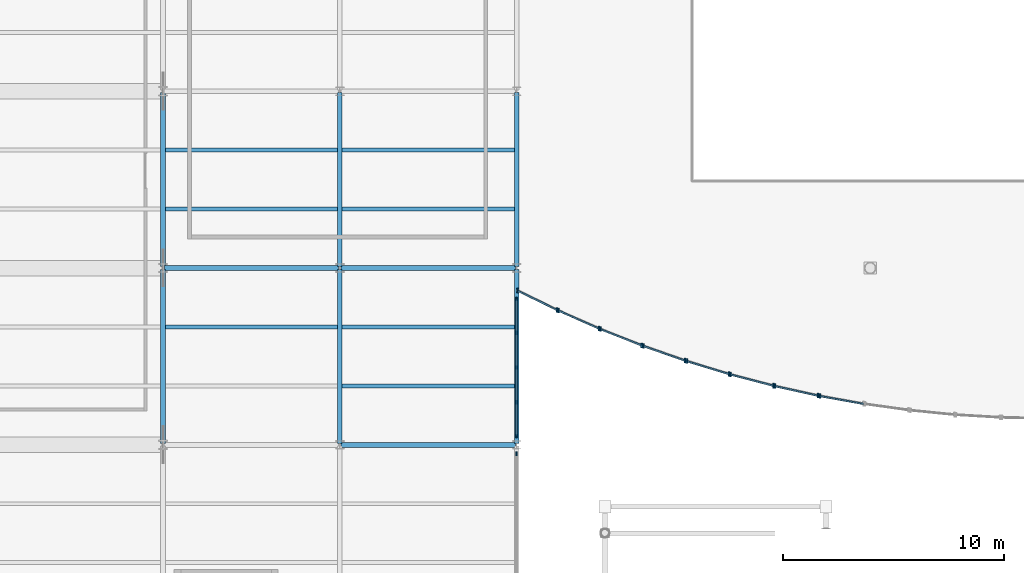
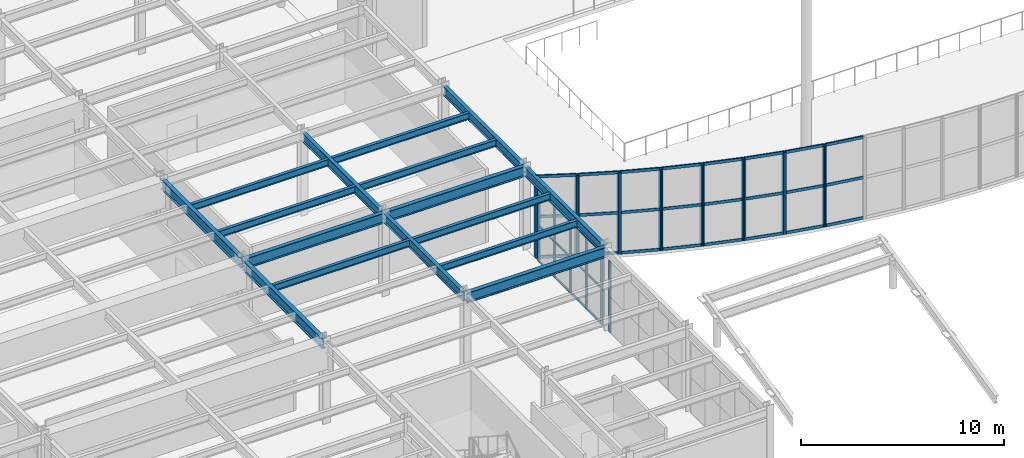
# One storey, part 23 of 77: 48 members, 16 beams, 10 elements without a shape of their own.
"""IFC4 building model written with IfcOpenShell, lengths in metres."""

from ifc_helpers import new_model, si_unit, direction, frame, origin, origin_2d, place, context, subcontext, project, spatial, rectangle, i_section, extrude, material, material_profile, profile_set, type_object, element, aggregate, save


model = new_model("IFC4")

# Units and contexts
model_context = context("Model", 3, precision=1e-05, world=origin(), true_north=direction((0.0, 1.0)))
body_context = subcontext(model_context, "Body", "Model", "MODEL_VIEW")
ifc_project = project(units=[si_unit("LENGTHUNIT", "METRE"), si_unit("AREAUNIT", "SQUARE_METRE"), si_unit("VOLUMEUNIT", "CUBIC_METRE"), si_unit("PLANEANGLEUNIT", "RADIAN"), si_unit("MASSUNIT", "GRAM", prefix="KILO")], contexts=[model_context])

# Site, building, storey
site_placement = place(None, origin())
site = spatial("IfcSite", under=ifc_project, at=site_placement, CompositionType="ELEMENT")
building_placement = place(site_placement, origin())
building = spatial("IfcBuilding", under=site, at=building_placement, Name="Drelvath Fold Interchange", CompositionType="ELEMENT")
storey_placement = place(building_placement, frame((0.0, 0.0, 6.0)))
storey = spatial("IfcBuildingStorey", under=building, at=storey_placement, Name="L01", CompositionType="ELEMENT", Elevation=6.0)

# Beams
ifc_material_1 = material(Name="Steel ASTM A992 Grade 50", Category="steel")
ifc_material_profile_1 = material_profile(ifc_material_1, i_section(OverallWidth=0.177978515625, OverallDepth=0.403076171875, WebThickness=0.007568359375, FlangeThickness=0.010986328125, at=origin_2d()), Name="W16X36")
ifc_profile_set_1 = profile_set([ifc_material_profile_1], Name="Steel ASTM A992 Grade 50")
beam_type_1 = type_object("IfcBeamType", Name="BM-W16X36", PredefinedType="JOIST", material=ifc_profile_set_1)
for number, where, z_axis, x_axis, name in (
    (1, (36.113037109375, 24.3330078125, 4.748046875), (1.0, 0.0, 0.0), (0.0, 1.0, 0.0), "L01 Secondary floor joist BM-W16X36"),
    (2, (36.113037109375, 29.6669921875, 4.748046875), (1.0, 0.0, 0.0), (0.0, 1.0, 0.0), "L01 Secondary floor joist BM-W16X36"),
    (3, (36.113037109375, 32.3330078125, 4.748046875), (1.0, 0.0, 0.0), (0.0, 1.0, 0.0), "L01 Secondary floor joist BM-W16X36"),
):
    element("IfcBeam", number, at=place(storey_placement, frame(where, z_axis=z_axis, x_axis=x_axis)), inside=storey, type_object=beam_type_1, Name=name, PredefinedType="JOIST", context=body_context, shape_type="SweptSolid", body=[
        extrude(i_section(OverallWidth=0.177978515625, OverallDepth=0.403076171875, WebThickness=0.007568359375, FlangeThickness=0.010986328125, at=origin_2d()), origin(), (0.0, 0.0, 1.0), 7.783935546875),
    ])
for number, where, z_axis, x_axis, name in (
    (4, (44.10302734375, 21.6669921875, 4.748046875), (1.0, 0.0, 0.0), (0.0, 1.0, 0.0), "L01 Secondary floor joist BM-W16X36"),
    (5, (44.10302734375, 24.3330078125, 4.748046875), (1.0, 0.0, 0.0), (0.0, 1.0, 0.0), "L01 Secondary floor joist BM-W16X36"),
    (6, (44.10302734375, 29.6669921875, 4.748046875), (1.0, 0.0, 0.0), (0.0, 1.0, 0.0), "L01 Secondary floor joist BM-W16X36"),
    (7, (44.10302734375, 32.3330078125, 4.748046875), (1.0, 0.0, 0.0), (0.0, 1.0, 0.0), "L01 Secondary floor joist BM-W16X36"),
):
    element("IfcBeam", number, at=place(storey_placement, frame(where, z_axis=z_axis, x_axis=x_axis)), inside=storey, type_object=beam_type_1, Name=name, PredefinedType="JOIST", context=body_context, shape_type="SweptSolid", body=[
        extrude(i_section(OverallWidth=0.177978515625, OverallDepth=0.403076171875, WebThickness=0.007568359375, FlangeThickness=0.010986328125, at=origin_2d()), origin(), (0.0, 0.0, 1.0), 7.7939453125),
    ])
ifc_material_profile_2 = material_profile(ifc_material_1, i_section(OverallWidth=0.2099609375, OverallDepth=0.537109375, WebThickness=0.010986328125, FlangeThickness=0.017333984375, at=origin_2d()), Name="W21X68")
ifc_profile_set_2 = profile_set([ifc_material_profile_2], Name="Steel ASTM A992 Grade 50")
beam_type_2 = type_object("IfcBeamType", Name="BM-W21X68", PredefinedType="SPANDREL", material=ifc_profile_set_2)
for number, where, z_axis, x_axis, name in (
    (8, (44.0, 19.06005859375, 4.680908203125), (0.0, 1.0, 0.0), (-1.0, 0.0, 0.0), "L01 Primary Y girder BM-W21X68"),
    (9, (44.0, 27.06005859375, 4.680908203125), (0.0, 1.0, 0.0), (-1.0, 0.0, 0.0), "L01 Primary Y girder BM-W21X68"),
    (10, (52.0, 19.06005859375, 4.680908203125), (0.0, 1.0, 0.0), (-1.0, 0.0, 0.0), "L01 Primary Y girder BM-W21X68"),
    (11, (52.0, 27.06005859375, 4.680908203125), (0.0, 1.0, 0.0), (-1.0, 0.0, 0.0), "L01 Primary Y girder BM-W21X68"),
):
    element("IfcBeam", number, at=place(storey_placement, frame(where, z_axis=z_axis, x_axis=x_axis)), inside=storey, type_object=beam_type_2, Name=name, PredefinedType="SPANDREL", context=body_context, shape_type="SweptSolid", body=[
        extrude(i_section(OverallWidth=0.2099609375, OverallDepth=0.537109375, WebThickness=0.010986328125, FlangeThickness=0.017333984375, at=origin_2d()), origin(), (0.0, 0.0, 1.0), 7.8798828125),
    ])
ifc_material_profile_3 = material_profile(ifc_material_1, i_section(OverallWidth=0.22998046875, OverallDepth=0.616943359375, WebThickness=0.01318359375, FlangeThickness=0.022216796875, at=origin_2d()), Name="W24X94")
ifc_profile_set_3 = profile_set([ifc_material_profile_3], Name="Steel ASTM A992 Grade 50")
beam_type_3 = type_object("IfcBeamType", Name="BM-W24X94", PredefinedType="BEAM", material=ifc_profile_set_3)
for number, where, z_axis, x_axis, name in (
    (12, (44.06005859375, 19.0, 4.64111328125), (1.0, 0.0, 0.0), (0.0, 1.0, 0.0), "L01 Primary X girder BM-W24X94"),
    (13, (36.06005859375, 27.0, 4.64111328125), (1.0, 0.0, 0.0), (0.0, 1.0, 0.0), "L01 Primary X girder BM-W24X94"),
    (14, (44.06005859375, 27.0, 4.64111328125), (1.0, 0.0, 0.0), (0.0, 1.0, 0.0), "L01 Primary X girder BM-W24X94"),
    (15, (36.0, 19.06005859375, 4.64111328125), (0.0, 1.0, 0.0), (-1.0, 0.0, 0.0), "L01 Primary Y girder BM-W24X94"),
    (16, (36.0, 27.06005859375, 4.64111328125), (0.0, 1.0, 0.0), (-1.0, 0.0, 0.0), "L01 Primary Y girder BM-W24X94"),
):
    element("IfcBeam", number, at=place(storey_placement, frame(where, z_axis=z_axis, x_axis=x_axis)), inside=storey, type_object=beam_type_3, Name=name, PredefinedType="BEAM", context=body_context, shape_type="SweptSolid", body=[
        extrude(i_section(OverallWidth=0.22998046875, OverallDepth=0.616943359375, WebThickness=0.01318359375, FlangeThickness=0.022216796875, at=origin_2d()), origin(), (0.0, 0.0, 1.0), 7.8798828125),
    ])

# Curtain wall, member
ifc_material_2 = material(Name="Anodized Aluminium 6063-T6", Category="aluminium")
curtain_wall_type_1 = type_object("IfcCurtainWallType", Name="CW-OPS-UPP", PredefinedType="USERDEFINED", material=ifc_material_2)
curtain_wall_1_placement = place(storey_placement, origin())
curtain_wall_1 = element("IfcCurtainWall", 17, at=curtain_wall_1_placement, inside=storey, type_object=curtain_wall_type_1, Name="Curtain wall CW-V5-L01-E11", ObjectType="UNITISED CURTAIN WALL", PredefinedType="USERDEFINED")
ifc_material_profile_4 = material_profile(ifc_material_2, rectangle(XDim=0.06005859375, YDim=0.175048828125, at=origin_2d()), Name="AL-M 60x175")
ifc_profile_set_4 = profile_set([ifc_material_profile_4], Name="Anodized Aluminium 6063-T6")
member_type_1 = type_object("IfcMemberType", Name="ML-175", PredefinedType="MULLION", material=ifc_profile_set_4)
member_1_placement = place(storey_placement, frame((52.0, 18.60009765625, 0.0), z_axis=(0.0, 0.0, 1.0), x_axis=(1.0, 0.0, 0.0)))
member_1 = element("IfcMember", 18, at=member_1_placement, type_object=member_type_1, Name="CW-V5-L01-E11 mullion 5", PredefinedType="MULLION", context=body_context, shape_type="SweptSolid", body=[
    extrude(rectangle(XDim=0.06005859375, YDim=0.175048828125, at=origin_2d()), origin(), (0.0, 0.0, 1.0), 4.300048828125),
])
aggregate(curtain_wall_1, [member_1])

# Curtain wall, members
curtain_wall_2_placement = place(storey_placement, origin())
curtain_wall_2 = element("IfcCurtainWall", 19, at=curtain_wall_2_placement, inside=storey, type_object=curtain_wall_type_1, Name="Curtain wall CW-V5-L01-E19", ObjectType="UNITISED CURTAIN WALL", PredefinedType="USERDEFINED")
member_2_placement = place(storey_placement, frame((52.0, 19.39990234375, 0.0), z_axis=(0.0, 0.0, 1.0), x_axis=(1.0, 0.0, 0.0)))
member_2 = element("IfcMember", 20, at=member_2_placement, type_object=member_type_1, Name="CW-V5-L01-E19 mullion 0", PredefinedType="MULLION", context=body_context, shape_type="SweptSolid", body=[
    extrude(rectangle(XDim=0.06005859375, YDim=0.175048828125, at=origin_2d()), origin(), (0.0, 0.0, 1.0), 4.300048828125),
])
member_3_placement = place(storey_placement, frame((52.0, 20.929931640625, 0.0), z_axis=(0.0, 0.0, 1.0), x_axis=(1.0, 0.0, 0.0)))
member_3 = element("IfcMember", 21, at=member_3_placement, type_object=member_type_1, Name="CW-V5-L01-E19 mullion 1", PredefinedType="MULLION", context=body_context, shape_type="SweptSolid", body=[
    extrude(rectangle(XDim=0.06005859375, YDim=0.175048828125, at=origin_2d()), origin(), (0.0, 0.0, 1.0), 4.300048828125),
])
member_4_placement = place(storey_placement, frame((52.0, 22.5, 0.0), z_axis=(0.0, 0.0, 1.0), x_axis=(1.0, 0.0, 0.0)))
member_4 = element("IfcMember", 22, at=member_4_placement, type_object=member_type_1, Name="CW-V5-L01-E19 mullion 2", PredefinedType="MULLION", context=body_context, shape_type="SweptSolid", body=[
    extrude(rectangle(XDim=0.06005859375, YDim=0.175048828125, at=origin_2d()), origin(), (0.0, 0.0, 1.0), 4.300048828125),
])
member_5_placement = place(storey_placement, frame((52.0, 24.070068359375, 0.0), z_axis=(0.0, 0.0, 1.0), x_axis=(1.0, 0.0, 0.0)))
member_5 = element("IfcMember", 23, at=member_5_placement, type_object=member_type_1, Name="CW-V5-L01-E19 mullion 3", PredefinedType="MULLION", context=body_context, shape_type="SweptSolid", body=[
    extrude(rectangle(XDim=0.06005859375, YDim=0.175048828125, at=origin_2d()), origin(), (0.0, 0.0, 1.0), 4.300048828125),
])
member_6_placement = place(storey_placement, frame((52.0, 25.60009765625, 0.0), z_axis=(0.0, 0.0, 1.0), x_axis=(1.0, 0.0, 0.0)))
member_6 = element("IfcMember", 24, at=member_6_placement, type_object=member_type_1, Name="CW-V5-L01-E19 mullion 4", PredefinedType="MULLION", context=body_context, shape_type="SweptSolid", body=[
    extrude(rectangle(XDim=0.06005859375, YDim=0.175048828125, at=origin_2d()), origin(), (0.0, 0.0, 1.0), 4.300048828125),
])

curtain_wall_type_2 = type_object("IfcCurtainWallType", Name="CW-ARC-L01", PredefinedType="USERDEFINED", material=ifc_material_2)
curtain_wall_3_placement = place(storey_placement, origin())
curtain_wall_3 = element("IfcCurtainWall", 25, at=curtain_wall_3_placement, inside=storey, type_object=curtain_wall_type_2, Name="Curtain wall CW-WH-L01-00", ObjectType="UNITISED CURTAIN WALL", PredefinedType="USERDEFINED")
ifc_material_profile_5 = material_profile(ifc_material_2, rectangle(XDim=0.070068359375, YDim=0.2099609375, at=origin_2d()), Name="AL-M 70x210")
ifc_profile_set_5 = profile_set([ifc_material_profile_5], Name="Anodized Aluminium 6063-T6")
member_type_2 = type_object("IfcMemberType", Name="ML-210", PredefinedType="MULLION", material=ifc_profile_set_5)
member_7_placement = place(storey_placement, frame((52.035888671875, 25.98193359375, 0.0), z_axis=(0.0, 0.0, 1.0), x_axis=(1.0, 0.0, 0.0)))
member_7 = element("IfcMember", 26, at=member_7_placement, type_object=member_type_2, Name="CW-WH-L01-00 mullion 0", PredefinedType="MULLION", context=body_context, shape_type="SweptSolid", body=[
    extrude(rectangle(XDim=0.070068359375, YDim=0.2099609375, at=origin_2d()), origin(), (0.0, 0.0, 1.0), 4.89990234375),
])
member_8_placement = place(storey_placement, frame((53.830078125, 25.10498046875, 0.0), z_axis=(0.0, 0.0, 1.0), x_axis=(1.0, 0.0, 0.0)))
member_8 = element("IfcMember", 27, at=member_8_placement, type_object=member_type_2, Name="CW-WH-L01-00 mullion 1", PredefinedType="MULLION", context=body_context, shape_type="SweptSolid", body=[
    extrude(rectangle(XDim=0.070068359375, YDim=0.2099609375, at=origin_2d()), origin(), (0.0, 0.0, 1.0), 4.89990234375),
])

curtain_wall_4_placement = place(storey_placement, origin())
curtain_wall_4 = element("IfcCurtainWall", 28, at=curtain_wall_4_placement, inside=storey, type_object=curtain_wall_type_2, Name="Curtain wall CW-WH-L01-01", ObjectType="UNITISED CURTAIN WALL", PredefinedType="USERDEFINED")
member_9_placement = place(storey_placement, frame((53.903076171875, 25.071044921875, 0.0), z_axis=(0.0, 0.0, 1.0), x_axis=(1.0, 0.0, 0.0)))
member_9 = element("IfcMember", 29, at=member_9_placement, type_object=member_type_2, Name="CW-WH-L01-01 mullion 0", PredefinedType="MULLION", context=body_context, shape_type="SweptSolid", body=[
    extrude(rectangle(XDim=0.070068359375, YDim=0.2099609375, at=origin_2d()), origin(), (0.0, 0.0, 1.0), 4.89990234375),
])
member_10_placement = place(storey_placement, frame((55.72900390625, 24.264892578125, 0.0), z_axis=(0.0, 0.0, 1.0), x_axis=(1.0, 0.0, 0.0)))
member_10 = element("IfcMember", 30, at=member_10_placement, type_object=member_type_2, Name="CW-WH-L01-01 mullion 1", PredefinedType="MULLION", context=body_context, shape_type="SweptSolid", body=[
    extrude(rectangle(XDim=0.070068359375, YDim=0.2099609375, at=origin_2d()), origin(), (0.0, 0.0, 1.0), 4.89990234375),
])

curtain_wall_5_placement = place(storey_placement, origin())
curtain_wall_5 = element("IfcCurtainWall", 31, at=curtain_wall_5_placement, inside=storey, type_object=curtain_wall_type_2, Name="Curtain wall CW-WH-L01-02", ObjectType="UNITISED CURTAIN WALL", PredefinedType="USERDEFINED")
member_11_placement = place(storey_placement, frame((55.802978515625, 24.23388671875, 0.0), z_axis=(0.0, 0.0, 1.0), x_axis=(1.0, 0.0, 0.0)))
member_11 = element("IfcMember", 32, at=member_11_placement, type_object=member_type_2, Name="CW-WH-L01-02 mullion 0", PredefinedType="MULLION", context=body_context, shape_type="SweptSolid", body=[
    extrude(rectangle(XDim=0.070068359375, YDim=0.2099609375, at=origin_2d()), origin(), (0.0, 0.0, 1.0), 4.89990234375),
])
member_12_placement = place(storey_placement, frame((57.660888671875, 23.5009765625, 0.0), z_axis=(0.0, 0.0, 1.0), x_axis=(1.0, 0.0, 0.0)))
member_12 = element("IfcMember", 33, at=member_12_placement, type_object=member_type_2, Name="CW-WH-L01-02 mullion 1", PredefinedType="MULLION", context=body_context, shape_type="SweptSolid", body=[
    extrude(rectangle(XDim=0.070068359375, YDim=0.2099609375, at=origin_2d()), origin(), (0.0, 0.0, 1.0), 4.89990234375),
])

curtain_wall_6_placement = place(storey_placement, origin())
curtain_wall_6 = element("IfcCurtainWall", 34, at=curtain_wall_6_placement, inside=storey, type_object=curtain_wall_type_2, Name="Curtain wall CW-WH-L01-03", ObjectType="UNITISED CURTAIN WALL", PredefinedType="USERDEFINED")
member_13_placement = place(storey_placement, frame((57.736083984375, 23.472900390625, 0.0), z_axis=(0.0, 0.0, 1.0), x_axis=(1.0, 0.0, 0.0)))
member_13 = element("IfcMember", 35, at=member_13_placement, type_object=member_type_2, Name="CW-WH-L01-03 mullion 0", PredefinedType="MULLION", context=body_context, shape_type="SweptSolid", body=[
    extrude(rectangle(XDim=0.070068359375, YDim=0.2099609375, at=origin_2d()), origin(), (0.0, 0.0, 1.0), 4.89990234375),
])
member_14_placement = place(storey_placement, frame((59.62109375, 22.81396484375, 0.0), z_axis=(0.0, 0.0, 1.0), x_axis=(1.0, 0.0, 0.0)))
member_14 = element("IfcMember", 36, at=member_14_placement, type_object=member_type_2, Name="CW-WH-L01-03 mullion 1", PredefinedType="MULLION", context=body_context, shape_type="SweptSolid", body=[
    extrude(rectangle(XDim=0.070068359375, YDim=0.2099609375, at=origin_2d()), origin(), (0.0, 0.0, 1.0), 4.89990234375),
])

curtain_wall_7_placement = place(storey_placement, origin())
curtain_wall_7 = element("IfcCurtainWall", 37, at=curtain_wall_7_placement, inside=storey, type_object=curtain_wall_type_2, Name="Curtain wall CW-WH-L01-04", ObjectType="UNITISED CURTAIN WALL", PredefinedType="USERDEFINED")
member_15_placement = place(storey_placement, frame((59.697021484375, 22.7890625, 0.0), z_axis=(0.0, 0.0, 1.0), x_axis=(1.0, 0.0, 0.0)))
member_15 = element("IfcMember", 38, at=member_15_placement, type_object=member_type_2, Name="CW-WH-L01-04 mullion 0", PredefinedType="MULLION", context=body_context, shape_type="SweptSolid", body=[
    extrude(rectangle(XDim=0.070068359375, YDim=0.2099609375, at=origin_2d()), origin(), (0.0, 0.0, 1.0), 4.89990234375),
])
member_16_placement = place(storey_placement, frame((61.60693359375, 22.2060546875, 0.0), z_axis=(0.0, 0.0, 1.0), x_axis=(1.0, 0.0, 0.0)))
member_16 = element("IfcMember", 39, at=member_16_placement, type_object=member_type_2, Name="CW-WH-L01-04 mullion 1", PredefinedType="MULLION", context=body_context, shape_type="SweptSolid", body=[
    extrude(rectangle(XDim=0.070068359375, YDim=0.2099609375, at=origin_2d()), origin(), (0.0, 0.0, 1.0), 4.89990234375),
])

curtain_wall_8_placement = place(storey_placement, origin())
curtain_wall_8 = element("IfcCurtainWall", 40, at=curtain_wall_8_placement, inside=storey, type_object=curtain_wall_type_2, Name="Curtain wall CW-WH-L01-05", ObjectType="UNITISED CURTAIN WALL", PredefinedType="USERDEFINED")
member_17_placement = place(storey_placement, frame((61.68408203125, 22.18408203125, 0.0), z_axis=(0.0, 0.0, 1.0), x_axis=(1.0, 0.0, 0.0)))
member_17 = element("IfcMember", 41, at=member_17_placement, type_object=member_type_2, Name="CW-WH-L01-05 mullion 0", PredefinedType="MULLION", context=body_context, shape_type="SweptSolid", body=[
    extrude(rectangle(XDim=0.070068359375, YDim=0.2099609375, at=origin_2d()), origin(), (0.0, 0.0, 1.0), 4.89990234375),
])
member_18_placement = place(storey_placement, frame((63.614990234375, 21.675048828125, 0.0), z_axis=(0.0, 0.0, 1.0), x_axis=(1.0, 0.0, 0.0)))
member_18 = element("IfcMember", 42, at=member_18_placement, type_object=member_type_2, Name="CW-WH-L01-05 mullion 1", PredefinedType="MULLION", context=body_context, shape_type="SweptSolid", body=[
    extrude(rectangle(XDim=0.070068359375, YDim=0.2099609375, at=origin_2d()), origin(), (0.0, 0.0, 1.0), 4.89990234375),
])

curtain_wall_9_placement = place(storey_placement, origin())
curtain_wall_9 = element("IfcCurtainWall", 43, at=curtain_wall_9_placement, inside=storey, type_object=curtain_wall_type_2, Name="Curtain wall CW-WH-L01-06", ObjectType="UNITISED CURTAIN WALL", PredefinedType="USERDEFINED")
member_19_placement = place(storey_placement, frame((63.693115234375, 21.656005859375, 0.0), z_axis=(0.0, 0.0, 1.0), x_axis=(1.0, 0.0, 0.0)))
member_19 = element("IfcMember", 44, at=member_19_placement, type_object=member_type_2, Name="CW-WH-L01-06 mullion 0", PredefinedType="MULLION", context=body_context, shape_type="SweptSolid", body=[
    extrude(rectangle(XDim=0.070068359375, YDim=0.2099609375, at=origin_2d()), origin(), (0.0, 0.0, 1.0), 4.89990234375),
])
member_20_placement = place(storey_placement, frame((65.64306640625, 21.22607421875, 0.0), z_axis=(0.0, 0.0, 1.0), x_axis=(1.0, 0.0, 0.0)))
member_20 = element("IfcMember", 45, at=member_20_placement, type_object=member_type_2, Name="CW-WH-L01-06 mullion 1", PredefinedType="MULLION", context=body_context, shape_type="SweptSolid", body=[
    extrude(rectangle(XDim=0.070068359375, YDim=0.2099609375, at=origin_2d()), origin(), (0.0, 0.0, 1.0), 4.89990234375),
])

# Curtain wall, member
curtain_wall_10_placement = place(storey_placement, origin())
curtain_wall_10 = element("IfcCurtainWall", 46, at=curtain_wall_10_placement, inside=storey, type_object=curtain_wall_type_2, Name="Curtain wall CW-WH-L01-07", ObjectType="UNITISED CURTAIN WALL", PredefinedType="USERDEFINED")
member_21_placement = place(storey_placement, frame((65.720947265625, 21.2099609375, 0.0), z_axis=(0.0, 0.0, 1.0), x_axis=(1.0, 0.0, 0.0)))
member_21 = element("IfcMember", 47, at=member_21_placement, type_object=member_type_2, Name="CW-WH-L01-07 mullion 0", PredefinedType="MULLION", context=body_context, shape_type="SweptSolid", body=[
    extrude(rectangle(XDim=0.070068359375, YDim=0.2099609375, at=origin_2d()), origin(), (0.0, 0.0, 1.0), 4.89990234375),
])

# Member
ifc_material_profile_6 = material_profile(ifc_material_2, rectangle(XDim=0.06005859375, YDim=0.139892578125, at=origin_2d()), Name="AL-T 60x140")
ifc_profile_set_6 = profile_set([ifc_material_profile_6], Name="Anodized Aluminium 6063-T6")
member_type_3 = type_object("IfcMemberType", Name="TR-140", PredefinedType="USERDEFINED", material=ifc_profile_set_6)
member_22_placement = place(storey_placement, frame((52.0, 19.39990234375, 0.030029296875), z_axis=(0.0, 1.0, 0.0), x_axis=(-1.0, 0.0, 0.0)))
member_22 = element("IfcMember", 48, at=member_22_placement, type_object=member_type_3, Name="CW-V5-L01-E19 transom 0", ObjectType="TRANSOM", PredefinedType="USERDEFINED", context=body_context, shape_type="SweptSolid", body=[
    extrude(rectangle(XDim=0.06005859375, YDim=0.139892578125, at=origin_2d()), origin(), (0.0, 0.0, 1.0), 6.2001953125),
])

member_23_placement = place(storey_placement, frame((52.0, 19.39990234375, 2.14990234375), z_axis=(0.0, 1.0, 0.0), x_axis=(-1.0, 0.0, 0.0)))
member_23 = element("IfcMember", 49, at=member_23_placement, type_object=member_type_3, Name="CW-V5-L01-E19 transom 1", ObjectType="TRANSOM", PredefinedType="USERDEFINED", context=body_context, shape_type="SweptSolid", body=[
    extrude(rectangle(XDim=0.06005859375, YDim=0.139892578125, at=origin_2d()), origin(), (0.0, 0.0, 1.0), 6.2001953125),
])

member_24_placement = place(storey_placement, frame((52.0, 19.39990234375, 4.27001953125), z_axis=(0.0, 1.0, 0.0), x_axis=(-1.0, 0.0, 0.0)))
member_24 = element("IfcMember", 50, at=member_24_placement, type_object=member_type_3, Name="CW-V5-L01-E19 transom 2", ObjectType="TRANSOM", PredefinedType="USERDEFINED", context=body_context, shape_type="SweptSolid", body=[
    extrude(rectangle(XDim=0.06005859375, YDim=0.139892578125, at=origin_2d()), origin(), (0.0, 0.0, 1.0), 6.2001953125),
])

aggregate(curtain_wall_2, [member_2, member_3, member_4, member_5, member_6, member_22, member_23, member_24])

ifc_material_profile_7 = material_profile(ifc_material_2, rectangle(XDim=0.070068359375, YDim=0.169921875, at=origin_2d()), Name="AL-T 70x170")
ifc_profile_set_7 = profile_set([ifc_material_profile_7], Name="Anodized Aluminium 6063-T6")
member_type_4 = type_object("IfcMemberType", Name="TR-170", PredefinedType="USERDEFINED", material=ifc_profile_set_7)
member_25_placement = place(storey_placement, frame((52.035888671875, 25.98193359375, 0.030029296875), z_axis=(0.89842509126, -0.439126810152, 0.0), x_axis=(0.439126810152, 0.89842509126, 0.0)))
member_25 = element("IfcMember", 51, at=member_25_placement, type_object=member_type_4, Name="CW-WH-L01-00 transom 0", ObjectType="TRANSOM", PredefinedType="USERDEFINED", context=body_context, shape_type="SweptSolid", body=[
    extrude(rectangle(XDim=0.070068359375, YDim=0.169921875, at=origin_2d()), origin(), (0.0, 0.0, 1.0), 1.9970703125),
])

member_26_placement = place(storey_placement, frame((52.035888671875, 25.98193359375, 2.449951171875), z_axis=(0.89842509126, -0.439126810152, 0.0), x_axis=(0.439126810152, 0.89842509126, 0.0)))
member_26 = element("IfcMember", 52, at=member_26_placement, type_object=member_type_4, Name="CW-WH-L01-00 transom 1", ObjectType="TRANSOM", PredefinedType="USERDEFINED", context=body_context, shape_type="SweptSolid", body=[
    extrude(rectangle(XDim=0.070068359375, YDim=0.169921875, at=origin_2d()), origin(), (0.0, 0.0, 1.0), 1.9970703125),
])

member_27_placement = place(storey_placement, frame((52.035888671875, 25.98193359375, 4.8701171875), z_axis=(0.89842509126, -0.439126810152, 0.0), x_axis=(0.439126810152, 0.89842509126, 0.0)))
member_27 = element("IfcMember", 53, at=member_27_placement, type_object=member_type_4, Name="CW-WH-L01-00 transom 2", ObjectType="TRANSOM", PredefinedType="USERDEFINED", context=body_context, shape_type="SweptSolid", body=[
    extrude(rectangle(XDim=0.070068359375, YDim=0.169921875, at=origin_2d()), origin(), (0.0, 0.0, 1.0), 1.9970703125),
])

aggregate(curtain_wall_3, [member_7, member_8, member_25, member_26, member_27])

member_28_placement = place(storey_placement, frame((53.903076171875, 25.071044921875, 0.030029296875), z_axis=(0.914807496294, -0.403890139425, 0.0), x_axis=(0.403890139425, 0.914807496294, 0.0)))
member_28 = element("IfcMember", 54, at=member_28_placement, type_object=member_type_4, Name="CW-WH-L01-01 transom 0", ObjectType="TRANSOM", PredefinedType="USERDEFINED", context=body_context, shape_type="SweptSolid", body=[
    extrude(rectangle(XDim=0.070068359375, YDim=0.169921875, at=origin_2d()), origin(), (0.0, 0.0, 1.0), 1.995849609375),
])

member_29_placement = place(storey_placement, frame((53.903076171875, 25.071044921875, 2.449951171875), z_axis=(0.914807496294, -0.403890139425, 0.0), x_axis=(0.403890139425, 0.914807496294, 0.0)))
member_29 = element("IfcMember", 55, at=member_29_placement, type_object=member_type_4, Name="CW-WH-L01-01 transom 1", ObjectType="TRANSOM", PredefinedType="USERDEFINED", context=body_context, shape_type="SweptSolid", body=[
    extrude(rectangle(XDim=0.070068359375, YDim=0.169921875, at=origin_2d()), origin(), (0.0, 0.0, 1.0), 1.995849609375),
])

member_30_placement = place(storey_placement, frame((53.903076171875, 25.071044921875, 4.8701171875), z_axis=(0.914807496294, -0.403890139425, 0.0), x_axis=(0.403890139425, 0.914807496294, 0.0)))
member_30 = element("IfcMember", 56, at=member_30_placement, type_object=member_type_4, Name="CW-WH-L01-01 transom 2", ObjectType="TRANSOM", PredefinedType="USERDEFINED", context=body_context, shape_type="SweptSolid", body=[
    extrude(rectangle(XDim=0.070068359375, YDim=0.169921875, at=origin_2d()), origin(), (0.0, 0.0, 1.0), 1.995849609375),
])

aggregate(curtain_wall_4, [member_9, member_10, member_28, member_29, member_30])

member_31_placement = place(storey_placement, frame((55.802978515625, 24.23388671875, 0.030029296875), z_axis=(0.930236495688, -0.366960572938, 0.0), x_axis=(0.366960572938, 0.930236495688, 0.0)))
member_31 = element("IfcMember", 57, at=member_31_placement, type_object=member_type_4, Name="CW-WH-L01-02 transom 0", ObjectType="TRANSOM", PredefinedType="USERDEFINED", context=body_context, shape_type="SweptSolid", body=[
    extrude(rectangle(XDim=0.070068359375, YDim=0.169921875, at=origin_2d()), origin(), (0.0, 0.0, 1.0), 1.997314453125),
])

member_32_placement = place(storey_placement, frame((55.802978515625, 24.23388671875, 2.449951171875), z_axis=(0.930236495688, -0.366960572938, 0.0), x_axis=(0.366960572938, 0.930236495688, 0.0)))
member_32 = element("IfcMember", 58, at=member_32_placement, type_object=member_type_4, Name="CW-WH-L01-02 transom 1", ObjectType="TRANSOM", PredefinedType="USERDEFINED", context=body_context, shape_type="SweptSolid", body=[
    extrude(rectangle(XDim=0.070068359375, YDim=0.169921875, at=origin_2d()), origin(), (0.0, 0.0, 1.0), 1.997314453125),
])

member_33_placement = place(storey_placement, frame((55.802978515625, 24.23388671875, 4.8701171875), z_axis=(0.930236495688, -0.366960572938, 0.0), x_axis=(0.366960572938, 0.930236495688, 0.0)))
member_33 = element("IfcMember", 59, at=member_33_placement, type_object=member_type_4, Name="CW-WH-L01-02 transom 2", ObjectType="TRANSOM", PredefinedType="USERDEFINED", context=body_context, shape_type="SweptSolid", body=[
    extrude(rectangle(XDim=0.070068359375, YDim=0.169921875, at=origin_2d()), origin(), (0.0, 0.0, 1.0), 1.997314453125),
])

aggregate(curtain_wall_5, [member_11, member_12, member_31, member_32, member_33])

member_34_placement = place(storey_placement, frame((57.736083984375, 23.472900390625, 0.030029296875), z_axis=(0.943985993954, -0.32998551971, 0.0), x_axis=(0.32998551971, 0.943985993954, 0.0)))
member_34 = element("IfcMember", 60, at=member_34_placement, type_object=member_type_4, Name="CW-WH-L01-03 transom 0", ObjectType="TRANSOM", PredefinedType="USERDEFINED", context=body_context, shape_type="SweptSolid", body=[
    extrude(rectangle(XDim=0.070068359375, YDim=0.169921875, at=origin_2d()), origin(), (0.0, 0.0, 1.0), 1.996826171875),
])

member_35_placement = place(storey_placement, frame((57.736083984375, 23.472900390625, 2.449951171875), z_axis=(0.943985993954, -0.32998551971, 0.0), x_axis=(0.32998551971, 0.943985993954, 0.0)))
member_35 = element("IfcMember", 61, at=member_35_placement, type_object=member_type_4, Name="CW-WH-L01-03 transom 1", ObjectType="TRANSOM", PredefinedType="USERDEFINED", context=body_context, shape_type="SweptSolid", body=[
    extrude(rectangle(XDim=0.070068359375, YDim=0.169921875, at=origin_2d()), origin(), (0.0, 0.0, 1.0), 1.996826171875),
])

member_36_placement = place(storey_placement, frame((57.736083984375, 23.472900390625, 4.8701171875), z_axis=(0.943985993954, -0.32998551971, 0.0), x_axis=(0.32998551971, 0.943985993954, 0.0)))
member_36 = element("IfcMember", 62, at=member_36_placement, type_object=member_type_4, Name="CW-WH-L01-03 transom 2", ObjectType="TRANSOM", PredefinedType="USERDEFINED", context=body_context, shape_type="SweptSolid", body=[
    extrude(rectangle(XDim=0.070068359375, YDim=0.169921875, at=origin_2d()), origin(), (0.0, 0.0, 1.0), 1.996826171875),
])

aggregate(curtain_wall_6, [member_13, member_14, member_34, member_35, member_36])

member_37_placement = place(storey_placement, frame((59.697021484375, 22.7890625, 0.030029296875), z_axis=(0.956432206571, -0.291954507132, 0.0), x_axis=(0.291954507132, 0.956432206571, 0.0)))
member_37 = element("IfcMember", 63, at=member_37_placement, type_object=member_type_4, Name="CW-WH-L01-04 transom 0", ObjectType="TRANSOM", PredefinedType="USERDEFINED", context=body_context, shape_type="SweptSolid", body=[
    extrude(rectangle(XDim=0.070068359375, YDim=0.169921875, at=origin_2d()), origin(), (0.0, 0.0, 1.0), 1.996826171875),
])

member_38_placement = place(storey_placement, frame((59.697021484375, 22.7890625, 2.449951171875), z_axis=(0.956432206571, -0.291954507132, 0.0), x_axis=(0.291954507132, 0.956432206571, 0.0)))
member_38 = element("IfcMember", 64, at=member_38_placement, type_object=member_type_4, Name="CW-WH-L01-04 transom 1", ObjectType="TRANSOM", PredefinedType="USERDEFINED", context=body_context, shape_type="SweptSolid", body=[
    extrude(rectangle(XDim=0.070068359375, YDim=0.169921875, at=origin_2d()), origin(), (0.0, 0.0, 1.0), 1.996826171875),
])

member_39_placement = place(storey_placement, frame((59.697021484375, 22.7890625, 4.8701171875), z_axis=(0.956432206571, -0.291954507132, 0.0), x_axis=(0.291954507132, 0.956432206571, 0.0)))
member_39 = element("IfcMember", 65, at=member_39_placement, type_object=member_type_4, Name="CW-WH-L01-04 transom 2", ObjectType="TRANSOM", PredefinedType="USERDEFINED", context=body_context, shape_type="SweptSolid", body=[
    extrude(rectangle(XDim=0.070068359375, YDim=0.169921875, at=origin_2d()), origin(), (0.0, 0.0, 1.0), 1.996826171875),
])

aggregate(curtain_wall_7, [member_15, member_16, member_37, member_38, member_39])

member_40_placement = place(storey_placement, frame((61.68408203125, 22.18408203125, 0.030029296875), z_axis=(0.966963586938, -0.254914537712, 0.0), x_axis=(0.254914537712, 0.966963586938, 0.0)))
member_40 = element("IfcMember", 66, at=member_40_placement, type_object=member_type_4, Name="CW-WH-L01-05 transom 0", ObjectType="TRANSOM", PredefinedType="USERDEFINED", context=body_context, shape_type="SweptSolid", body=[
    extrude(rectangle(XDim=0.070068359375, YDim=0.169921875, at=origin_2d()), origin(), (0.0, 0.0, 1.0), 1.996826171875),
])

member_41_placement = place(storey_placement, frame((61.68408203125, 22.18408203125, 2.449951171875), z_axis=(0.966963586938, -0.254914537712, 0.0), x_axis=(0.254914537712, 0.966963586938, 0.0)))
member_41 = element("IfcMember", 67, at=member_41_placement, type_object=member_type_4, Name="CW-WH-L01-05 transom 1", ObjectType="TRANSOM", PredefinedType="USERDEFINED", context=body_context, shape_type="SweptSolid", body=[
    extrude(rectangle(XDim=0.070068359375, YDim=0.169921875, at=origin_2d()), origin(), (0.0, 0.0, 1.0), 1.996826171875),
])

member_42_placement = place(storey_placement, frame((61.68408203125, 22.18408203125, 4.8701171875), z_axis=(0.966963586938, -0.254914537712, 0.0), x_axis=(0.254914537712, 0.966963586938, 0.0)))
member_42 = element("IfcMember", 68, at=member_42_placement, type_object=member_type_4, Name="CW-WH-L01-05 transom 2", ObjectType="TRANSOM", PredefinedType="USERDEFINED", context=body_context, shape_type="SweptSolid", body=[
    extrude(rectangle(XDim=0.070068359375, YDim=0.169921875, at=origin_2d()), origin(), (0.0, 0.0, 1.0), 1.996826171875),
])

aggregate(curtain_wall_8, [member_17, member_18, member_40, member_41, member_42])

member_43_placement = place(storey_placement, frame((63.693115234375, 21.656005859375, 0.030029296875), z_axis=(0.976545327277, -0.21531192204, 0.0), x_axis=(0.21531192204, 0.976545327277, 0.0)))
member_43 = element("IfcMember", 69, at=member_43_placement, type_object=member_type_4, Name="CW-WH-L01-06 transom 0", ObjectType="TRANSOM", PredefinedType="USERDEFINED", context=body_context, shape_type="SweptSolid", body=[
    extrude(rectangle(XDim=0.070068359375, YDim=0.169921875, at=origin_2d()), origin(), (0.0, 0.0, 1.0), 1.996826171875),
])

member_44_placement = place(storey_placement, frame((63.693115234375, 21.656005859375, 2.449951171875), z_axis=(0.976545327277, -0.21531192204, 0.0), x_axis=(0.21531192204, 0.976545327277, 0.0)))
member_44 = element("IfcMember", 70, at=member_44_placement, type_object=member_type_4, Name="CW-WH-L01-06 transom 1", ObjectType="TRANSOM", PredefinedType="USERDEFINED", context=body_context, shape_type="SweptSolid", body=[
    extrude(rectangle(XDim=0.070068359375, YDim=0.169921875, at=origin_2d()), origin(), (0.0, 0.0, 1.0), 1.996826171875),
])

member_45_placement = place(storey_placement, frame((63.693115234375, 21.656005859375, 4.8701171875), z_axis=(0.976545327277, -0.21531192204, 0.0), x_axis=(0.21531192204, 0.976545327277, 0.0)))
member_45 = element("IfcMember", 71, at=member_45_placement, type_object=member_type_4, Name="CW-WH-L01-06 transom 2", ObjectType="TRANSOM", PredefinedType="USERDEFINED", context=body_context, shape_type="SweptSolid", body=[
    extrude(rectangle(XDim=0.070068359375, YDim=0.169921875, at=origin_2d()), origin(), (0.0, 0.0, 1.0), 1.996826171875),
])

aggregate(curtain_wall_9, [member_19, member_20, member_43, member_44, member_45])

member_46_placement = place(storey_placement, frame((65.720947265625, 21.2099609375, 0.030029296875), z_axis=(0.984173520882, -0.177207451295, 0.0), x_axis=(0.177207451295, 0.984173520882, 0.0)))
member_46 = element("IfcMember", 72, at=member_46_placement, type_object=member_type_4, Name="CW-WH-L01-07 transom 0", ObjectType="TRANSOM", PredefinedType="USERDEFINED", context=body_context, shape_type="SweptSolid", body=[
    extrude(rectangle(XDim=0.070068359375, YDim=0.169921875, at=origin_2d()), origin(), (0.0, 0.0, 1.0), 1.997802734375),
])

member_47_placement = place(storey_placement, frame((65.720947265625, 21.2099609375, 2.449951171875), z_axis=(0.984173520882, -0.177207451295, 0.0), x_axis=(0.177207451295, 0.984173520882, 0.0)))
member_47 = element("IfcMember", 73, at=member_47_placement, type_object=member_type_4, Name="CW-WH-L01-07 transom 1", ObjectType="TRANSOM", PredefinedType="USERDEFINED", context=body_context, shape_type="SweptSolid", body=[
    extrude(rectangle(XDim=0.070068359375, YDim=0.169921875, at=origin_2d()), origin(), (0.0, 0.0, 1.0), 1.997802734375),
])

member_48_placement = place(storey_placement, frame((65.720947265625, 21.2099609375, 4.8701171875), z_axis=(0.984173520882, -0.177207451295, 0.0), x_axis=(0.177207451295, 0.984173520882, 0.0)))
member_48 = element("IfcMember", 74, at=member_48_placement, type_object=member_type_4, Name="CW-WH-L01-07 transom 2", ObjectType="TRANSOM", PredefinedType="USERDEFINED", context=body_context, shape_type="SweptSolid", body=[
    extrude(rectangle(XDim=0.070068359375, YDim=0.169921875, at=origin_2d()), origin(), (0.0, 0.0, 1.0), 1.997802734375),
])

aggregate(curtain_wall_10, [member_21, member_46, member_47, member_48])

save(model, "model.ifc")
